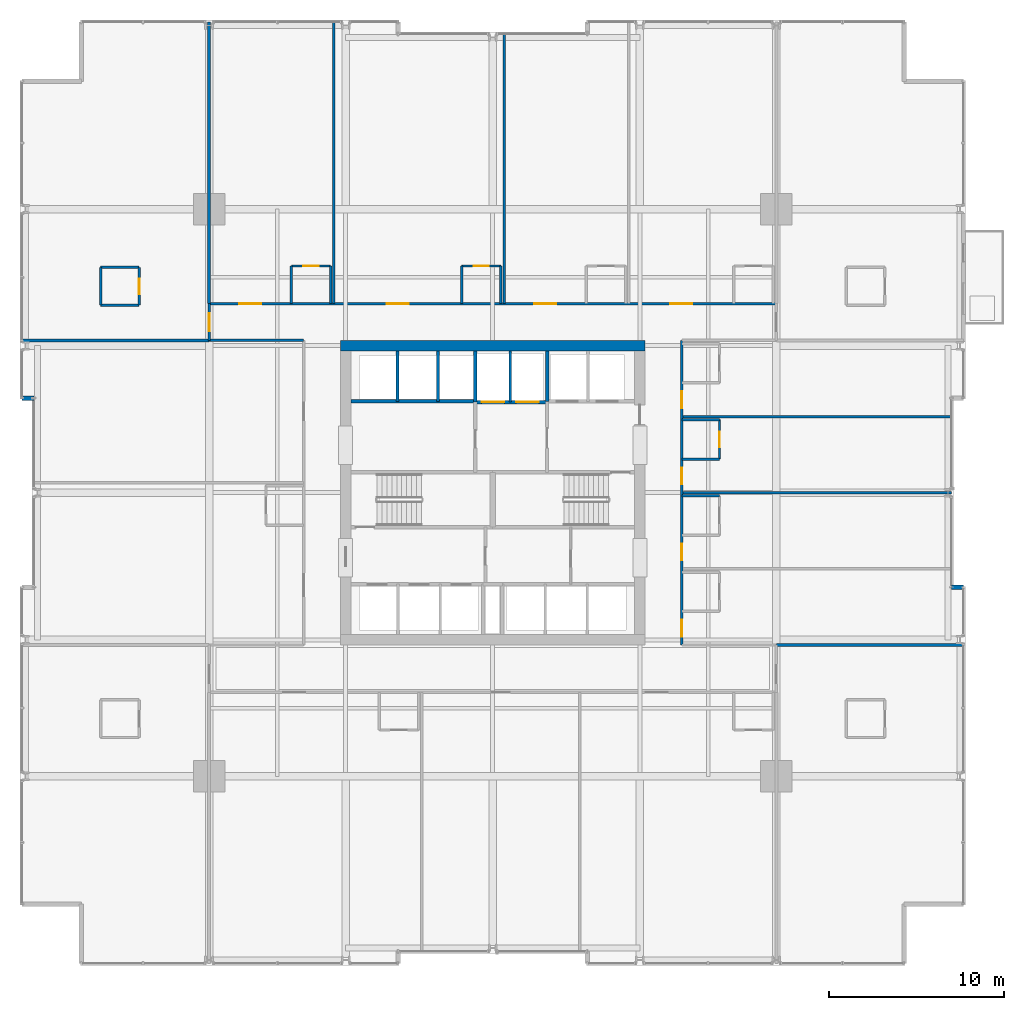
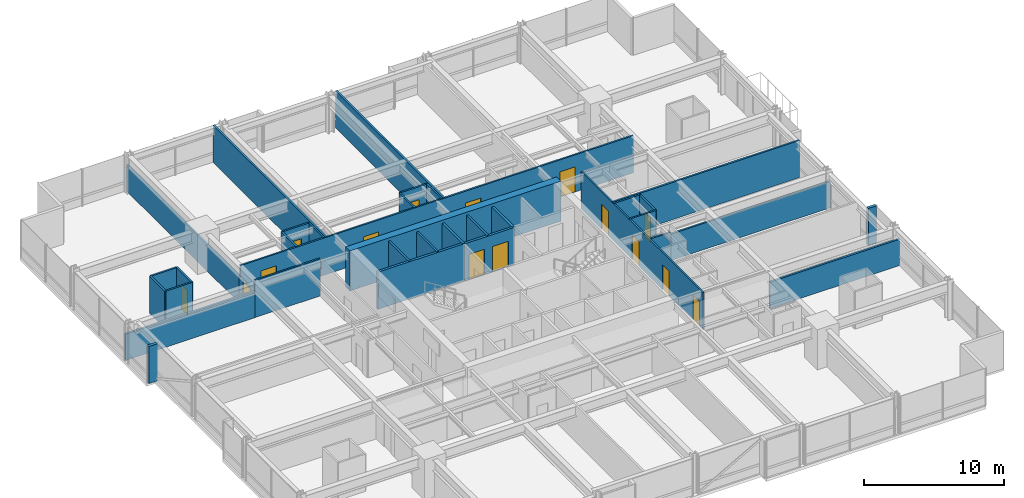
# One storey, part 32 of 38: 35 walls, 15 doors, 15 openings.
"""IFC4 building model written with IfcOpenShell, lengths in metres."""

from ifc_helpers import new_model, si_unit, direction, frame, frame_2d, origin, place, context, subcontext, project, spatial, rectangle, extrude, material, layer, layer_set, type_object, element, fill, save


model = new_model("IFC4")

# Units and contexts
model_context = context("Model", 3, precision=1e-05, world=origin(), true_north=direction((0.0, 1.0)))
body_context = subcontext(model_context, "Body", "Model", "MODEL_VIEW")
ifc_project = project(units=[si_unit("LENGTHUNIT", "METRE"), si_unit("AREAUNIT", "SQUARE_METRE"), si_unit("VOLUMEUNIT", "CUBIC_METRE"), si_unit("PLANEANGLEUNIT", "RADIAN"), si_unit("MASSUNIT", "GRAM", prefix="KILO")], contexts=[model_context])

# Site, building, storey
site_placement = place(None, origin())
site = spatial("IfcSite", under=ifc_project, at=site_placement, CompositionType="ELEMENT")
building_placement = place(site_placement, origin())
building = spatial("IfcBuilding", under=site, at=building_placement, Name="Drelvath Grand Hotel", CompositionType="ELEMENT")
storey_placement = place(building_placement, frame((0.0, 0.0, 50.699951171875)))
storey = spatial("IfcBuildingStorey", under=building, at=storey_placement, Name="L11", CompositionType="ELEMENT", Elevation=50.699951171875)

# Wall
ifc_material_1 = material(Name="Concrete C40/50", Category="concrete")
ifc_layer_1 = layer(ifc_material_1, 0.199951171875)
ifc_layer_set_1 = layer_set([ifc_layer_1], Name="Concrete C40/50")
wall_type_1 = type_object("IfcWallType", Name="Core Hoistway Fire Wall 200", PredefinedType="SOLIDWALL", material=ifc_layer_set_1)
wall_1_placement = place(storey_placement, frame((3.10009765625, 32.219970703125, 0.0), z_axis=(0.0, 0.0, 1.0), x_axis=(0.0, 1.0, 0.0)))
element("IfcWall", 1, at=wall_1_placement, inside=storey, type_object=wall_type_1, Name="L11 FSAE Hoistway West Wall", PredefinedType="SOLIDWALL", context=body_context, shape_type="SweptSolid", body=[
    extrude(rectangle(XDim=2.880126953125, YDim=0.199951171875, at=frame_2d((1.43994140625, 0.0))), origin(), (0.0, 0.0, 1.0), 3.239990234375),
])

# Wall, openings, doors
wall_2_placement = place(storey_placement, frame((-1.0, 32.179931640625, 0.0), z_axis=(0.0, 0.0, 1.0), x_axis=(1.0, 0.0, 0.0)))
wall_2 = element("IfcWall", 2, at=wall_2_placement, inside=storey, type_object=wall_type_1, Name="L11 Service Lift Hoistway Wall", PredefinedType="SOLIDWALL", context=body_context, shape_type="SweptSolid", body=[
    extrude(rectangle(XDim=4.10009765625, YDim=0.199951171875, at=frame_2d((2.050048828125, 0.0))), origin(), (0.0, 0.0, 1.0), 3.239990234375),
])
opening_1_placement = place(wall_2_placement, frame((0.3701171875, 0.0, 0.0)))
opening_1 = element("IfcOpeningElement", 3, at=opening_1_placement, cuts=wall_2, Name="Opening LD-SV-2", PredefinedType="OPENING", context=body_context, shape_type="SweptSolid", body=[
    extrude(rectangle(XDim=1.300048828125, YDim=2.199951171875, at=frame_2d((0.64990234375, 1.10009765625))), frame((0.0, 0.10986328125, 0.0), z_axis=(0.0, -1.0, 0.0), x_axis=(1.0, 0.0, 0.0)), (0.0, 0.0, 1.0), 0.219970703125),
])
opening_2_placement = place(wall_2_placement, frame((2.330078125, 0.0, 0.0)))
opening_2 = element("IfcOpeningElement", 4, at=opening_2_placement, cuts=wall_2, Name="Opening LD-SV-1", PredefinedType="OPENING", context=body_context, shape_type="SweptSolid", body=[
    extrude(rectangle(XDim=1.300048828125, YDim=2.199951171875, at=frame_2d((0.64990234375, 1.10009765625))), frame((0.0, 0.10986328125, 0.0), z_axis=(0.0, -1.0, 0.0), x_axis=(1.0, 0.0, 0.0)), (0.0, 0.0, 1.0), 0.219970703125),
])
ifc_material_2 = material(Name="Stainless Steel S355", Category="steel")
door_type_1 = type_object("IfcDoorType", Name="Service Lift Sliding Landing Door 1300x2200", OperationType="NOTDEFINED", PredefinedType="DOOR", material=ifc_material_2)
door_1_placement = place(opening_1_placement, origin())
door_1 = element("IfcDoor", 5, at=door_1_placement, inside=storey, type_object=door_type_1, Name="L11 Lift SV-2 Landing Door", OperationType="SLIDING_TO_LEFT", OverallHeight=2.199951171875, OverallWidth=1.300048828125, PredefinedType="DOOR", context=body_context, shape_type="SweptSolid", body=[
    extrude(rectangle(XDim=1.300048828125, YDim=2.199951171875, at=frame_2d((0.64990234375, 1.10009765625))), frame((0.0, 0.02490234375, 0.0), z_axis=(0.0, -1.0, 0.0), x_axis=(1.0, 0.0, 0.0)), (0.0, 0.0, 1.0), 0.050048828125),
])
fill(opening_1, door_1)
door_2_placement = place(opening_2_placement, origin())
door_2 = element("IfcDoor", 6, at=door_2_placement, inside=storey, type_object=door_type_1, Name="L11 Lift SV-1 Landing Door", OperationType="SLIDING_TO_LEFT", OverallHeight=2.199951171875, OverallWidth=1.300048828125, PredefinedType="DOOR", context=body_context, shape_type="SweptSolid", body=[
    extrude(rectangle(XDim=1.300048828125, YDim=2.199951171875, at=frame_2d((0.64990234375, 1.10009765625))), frame((0.0, 0.02490234375, 0.0), z_axis=(0.0, -1.0, 0.0), x_axis=(1.0, 0.0, 0.0)), (0.0, 0.0, 1.0), 0.050048828125),
])
fill(opening_2, door_2)

# Walls
wall_3_placement = place(storey_placement, frame((-1.0, 32.179931640625, 0.0), z_axis=(0.0, 0.0, 1.0), x_axis=(0.0, 1.0, 0.0)))
element("IfcWall", 7, at=wall_3_placement, inside=storey, type_object=wall_type_1, Name="L11 Service Lift West Wall", PredefinedType="SOLIDWALL", context=body_context, shape_type="SweptSolid", body=[
    extrude(rectangle(XDim=2.920166015625, YDim=0.199951171875, at=frame_2d((1.4599609375, 0.0))), origin(), (0.0, 0.0, 1.0), 3.239990234375),
])
wall_4_placement = place(storey_placement, frame((-8.10009765625, 32.219970703125, 0.0), z_axis=(0.0, 0.0, 1.0), x_axis=(1.0, 0.0, 0.0)))
element("IfcWall", 8, at=wall_4_placement, inside=storey, type_object=wall_type_1, Name="L11 Bank 3 Hoistway Wall", PredefinedType="SOLIDWALL", context=body_context, shape_type="SweptSolid", body=[
    extrude(rectangle(XDim=7.10009765625, YDim=0.199951171875, at=frame_2d((3.550048828125, 0.0))), origin(), (0.0, 0.0, 1.0), 3.239990234375),
])
ifc_material_3 = material(Name="Gypsum Fireboard Partition")
ifc_layer_2 = layer(ifc_material_3, 0.1650390625)
ifc_layer_set_2 = layer_set([ifc_layer_2], Name="Gypsum Fireboard Partition")
wall_type_2 = type_object("IfcWallType", Name="Core Shaft Partition 165", PredefinedType="PARTITIONING", material=ifc_layer_set_2)
wall_5_placement = place(storey_placement, frame((1.0, 32.179931640625, 0.0), z_axis=(0.0, 0.0, 1.0), x_axis=(0.0, 1.0, 0.0)))
element("IfcWall", 9, at=wall_5_placement, inside=storey, type_object=wall_type_2, Name="L11 Service Lift Divider", PredefinedType="PARTITIONING", context=body_context, shape_type="SweptSolid", body=[
    extrude(rectangle(XDim=2.920166015625, YDim=0.1650390625, at=frame_2d((1.4599609375, 0.0))), origin(), (0.0, 0.0, 1.0), 3.239990234375),
])
for number, where, z_axis, x_axis, name in (
    (10, (-5.43994140625, 32.219970703125, 0.0), (0.0, 0.0, 1.0), (0.0, 1.0, 0.0), "L11 Lift PE-7/8 Divider"),
    (11, (-3.1201171875, 32.219970703125, 0.0), (0.0, 0.0, 1.0), (0.0, 1.0, 0.0), "L11 Lift PE-8/9 Divider"),
):
    element("IfcWall", number, at=place(storey_placement, frame(where, z_axis=z_axis, x_axis=x_axis)), inside=storey, type_object=wall_type_2, Name=name, PredefinedType="PARTITIONING", context=body_context, shape_type="SweptSolid", body=[
        extrude(rectangle(XDim=2.880126953125, YDim=0.1650390625, at=frame_2d((1.43994140625, 0.0))), origin(), (0.0, 0.0, 1.0), 3.239990234375),
    ])

# Wall, openings, doors
ifc_layer_3 = layer(ifc_material_3, 0.135009765625)
ifc_layer_set_3 = layer_set([ifc_layer_3], Name="Gypsum Fireboard Partition")
wall_type_3 = type_object("IfcWallType", Name="Corridor Fire Barrier Wall 135", PredefinedType="PARTITIONING", material=ifc_layer_set_3)
wall_6_placement = place(storey_placement, frame((-16.199951171875, 37.800048828125, 0.0), z_axis=(0.0, 0.0, 1.0), x_axis=(1.0, 0.0, 0.0)))
wall_6 = element("IfcWall", 12, at=wall_6_placement, inside=storey, type_object=wall_type_3, Name="L11 North Corridor Wall", PredefinedType="PARTITIONING", context=body_context, shape_type="SweptSolid", body=[
    extrude(rectangle(XDim=32.39990234375, YDim=0.135009765625, at=frame_2d((16.199951171875, 0.0))), origin(), (0.0, 0.0, 1.0), 3.239990234375),
])
opening_3_placement = place(wall_6_placement, frame((1.718994140625, 0.0, 0.0)))
opening_3 = element("IfcOpeningElement", 13, at=opening_3_placement, cuts=wall_6, Name="Opening D-T1G2-030", PredefinedType="OPENING", context=body_context, shape_type="SweptSolid", body=[
    extrude(rectangle(XDim=1.260009765625, YDim=2.199951171875, at=frame_2d((0.6298828125, 1.10009765625))), frame((0.0, 0.077392578125, 0.0), z_axis=(0.0, -1.0, 0.0), x_axis=(1.0, 0.0, 0.0)), (0.0, 0.0, 1.0), 0.155029296875),
])
opening_4_placement = place(wall_6_placement, frame((10.14306640625, 0.0, 0.0)))
opening_4 = element("IfcOpeningElement", 14, at=opening_4_placement, cuts=wall_6, Name="Opening D-T1G2-032", PredefinedType="OPENING", context=body_context, shape_type="SweptSolid", body=[
    extrude(rectangle(XDim=1.260009765625, YDim=2.199951171875, at=frame_2d((0.6298828125, 1.10009765625))), frame((0.0, 0.077392578125, 0.0), z_axis=(0.0, -1.0, 0.0), x_axis=(1.0, 0.0, 0.0)), (0.0, 0.0, 1.0), 0.155029296875),
])
opening_5_placement = place(wall_6_placement, frame((18.56689453125, 0.0, 0.0)))
opening_5 = element("IfcOpeningElement", 15, at=opening_5_placement, cuts=wall_6, Name="Opening D-T1G2-034", PredefinedType="OPENING", context=body_context, shape_type="SweptSolid", body=[
    extrude(rectangle(XDim=1.260009765625, YDim=2.199951171875, at=frame_2d((0.6298828125, 1.10009765625))), frame((0.0, 0.077392578125, 0.0), z_axis=(0.0, -1.0, 0.0), x_axis=(1.0, 0.0, 0.0)), (0.0, 0.0, 1.0), 0.155029296875),
])
opening_6_placement = place(wall_6_placement, frame((26.343017578125, 0.0, 0.0)))
opening_6 = element("IfcOpeningElement", 16, at=opening_6_placement, cuts=wall_6, Name="Opening D-T1G2-036", PredefinedType="OPENING", context=body_context, shape_type="SweptSolid", body=[
    extrude(rectangle(XDim=1.260009765625, YDim=2.199951171875, at=frame_2d((0.6298828125, 1.10009765625))), frame((0.0, 0.077392578125, 0.0), z_axis=(0.0, -1.0, 0.0), x_axis=(1.0, 0.0, 0.0)), (0.0, 0.0, 1.0), 0.155029296875),
])
ifc_material_4 = material(Name="Hardwood Walnut Timber", Category="wood")
door_type_2 = type_object("IfcDoorType", Name="Suite Entrance Fire Door 1260x2200", OperationType="NOTDEFINED", PredefinedType="DOOR", material=ifc_material_4)
door_3_placement = place(opening_3_placement, origin())
door_3 = element("IfcDoor", 17, at=door_3_placement, inside=storey, type_object=door_type_2, Name="L11 Corner Suite Entry Door", OperationType="SINGLE_SWING_LEFT", OverallHeight=2.199951171875, OverallWidth=1.260009765625, PredefinedType="DOOR", context=body_context, shape_type="SweptSolid", body=[
    extrude(rectangle(XDim=1.260009765625, YDim=2.199951171875, at=frame_2d((0.6298828125, 1.10009765625))), frame((0.0, 0.02490234375, 0.0), z_axis=(0.0, -1.0, 0.0), x_axis=(1.0, 0.0, 0.0)), (0.0, 0.0, 1.0), 0.050048828125),
])
fill(opening_3, door_3)
door_4_placement = place(opening_4_placement, origin())
door_4 = element("IfcDoor", 18, at=door_4_placement, inside=storey, type_object=door_type_2, Name="L11 Corner Suite Entry Door", OperationType="SINGLE_SWING_LEFT", OverallHeight=2.199951171875, OverallWidth=1.260009765625, PredefinedType="DOOR", context=body_context, shape_type="SweptSolid", body=[
    extrude(rectangle(XDim=1.260009765625, YDim=2.199951171875, at=frame_2d((0.6298828125, 1.10009765625))), frame((0.0, 0.02490234375, 0.0), z_axis=(0.0, -1.0, 0.0), x_axis=(1.0, 0.0, 0.0)), (0.0, 0.0, 1.0), 0.050048828125),
])
fill(opening_4, door_4)
door_5_placement = place(opening_5_placement, origin())
door_5 = element("IfcDoor", 19, at=door_5_placement, inside=storey, type_object=door_type_2, Name="L11 Corner Suite Entry Door", OperationType="SINGLE_SWING_LEFT", OverallHeight=2.199951171875, OverallWidth=1.260009765625, PredefinedType="DOOR", context=body_context, shape_type="SweptSolid", body=[
    extrude(rectangle(XDim=1.260009765625, YDim=2.199951171875, at=frame_2d((0.6298828125, 1.10009765625))), frame((0.0, 0.02490234375, 0.0), z_axis=(0.0, -1.0, 0.0), x_axis=(1.0, 0.0, 0.0)), (0.0, 0.0, 1.0), 0.050048828125),
])
fill(opening_5, door_5)
door_6_placement = place(opening_6_placement, origin())
door_6 = element("IfcDoor", 20, at=door_6_placement, inside=storey, type_object=door_type_2, Name="L11 Corner Suite Entry Door", OperationType="SINGLE_SWING_LEFT", OverallHeight=2.199951171875, OverallWidth=1.260009765625, PredefinedType="DOOR", context=body_context, shape_type="SweptSolid", body=[
    extrude(rectangle(XDim=1.260009765625, YDim=2.199951171875, at=frame_2d((0.6298828125, 1.10009765625))), frame((0.0, 0.02490234375, 0.0), z_axis=(0.0, -1.0, 0.0), x_axis=(1.0, 0.0, 0.0)), (0.0, 0.0, 1.0), 0.050048828125),
])
fill(opening_6, door_6)

# Wall
wall_7_placement = place(storey_placement, frame((-16.199951171875, 35.699951171875, 0.0), z_axis=(0.0, 0.0, 1.0), x_axis=(1.0, 0.0, 0.0)))
element("IfcWall", 21, at=wall_7_placement, inside=storey, type_object=wall_type_3, Name="L11 NW Spur Inner Wall", PredefinedType="PARTITIONING", context=body_context, shape_type="SweptSolid", body=[
    extrude(rectangle(XDim=5.39990234375, YDim=0.135009765625, at=frame_2d((2.699951171875, 0.0))), origin(), (0.0, 0.0, 1.0), 3.239990234375),
])

# Wall, openings, doors
wall_8_placement = place(storey_placement, frame((10.800048828125, 18.300048828125, 0.0), z_axis=(0.0, 0.0, 1.0), x_axis=(0.0, 1.0, 0.0)))
wall_8 = element("IfcWall", 22, at=wall_8_placement, inside=storey, type_object=wall_type_3, Name="L11 East Corridor Wall", PredefinedType="PARTITIONING", context=body_context, shape_type="SweptSolid", body=[
    extrude(rectangle(XDim=17.39990234375, YDim=0.135009765625, at=frame_2d((8.699951171875, 0.0))), origin(), (0.0, 0.0, 1.0), 3.239990234375),
])
opening_7_placement = place(wall_8_placement, frame((0.47998046875, 0.0, 0.0)))
opening_7 = element("IfcOpeningElement", 23, at=opening_7_placement, cuts=wall_8, Name="Opening D-T1G2-041", PredefinedType="OPENING", context=body_context, shape_type="SweptSolid", body=[
    extrude(rectangle(XDim=0.9599609375, YDim=2.14990234375, at=frame_2d((0.47998046875, 1.074951171875))), frame((0.0, 0.077392578125, 0.0), z_axis=(0.0, -1.0, 0.0), x_axis=(1.0, 0.0, 0.0)), (0.0, 0.0, 1.0), 0.155029296875),
])
opening_8_placement = place(wall_8_placement, frame((4.830078125, 0.0, 0.0)))
opening_8 = element("IfcOpeningElement", 24, at=opening_8_placement, cuts=wall_8, Name="Opening D-T1G2-043", PredefinedType="OPENING", context=body_context, shape_type="SweptSolid", body=[
    extrude(rectangle(XDim=0.9599609375, YDim=2.14990234375, at=frame_2d((0.47998046875, 1.074951171875))), frame((0.0, 0.077392578125, 0.0), z_axis=(0.0, -1.0, 0.0), x_axis=(1.0, 0.0, 0.0)), (0.0, 0.0, 1.0), 0.155029296875),
])
opening_9_placement = place(wall_8_placement, frame((9.179931640625, 0.0, 0.0)))
opening_9 = element("IfcOpeningElement", 25, at=opening_9_placement, cuts=wall_8, Name="Opening D-T1G2-045", PredefinedType="OPENING", context=body_context, shape_type="SweptSolid", body=[
    extrude(rectangle(XDim=0.9599609375, YDim=2.14990234375, at=frame_2d((0.47998046875, 1.074951171875))), frame((0.0, 0.077392578125, 0.0), z_axis=(0.0, -1.0, 0.0), x_axis=(1.0, 0.0, 0.0)), (0.0, 0.0, 1.0), 0.155029296875),
])
opening_10_placement = place(wall_8_placement, frame((13.530029296875, 0.0, 0.0)))
opening_10 = element("IfcOpeningElement", 26, at=opening_10_placement, cuts=wall_8, Name="Opening D-T1G2-047", PredefinedType="OPENING", context=body_context, shape_type="SweptSolid", body=[
    extrude(rectangle(XDim=0.9599609375, YDim=2.14990234375, at=frame_2d((0.47998046875, 1.074951171875))), frame((0.0, 0.077392578125, 0.0), z_axis=(0.0, -1.0, 0.0), x_axis=(1.0, 0.0, 0.0)), (0.0, 0.0, 1.0), 0.155029296875),
])
door_type_3 = type_object("IfcDoorType", Name="Guestroom Entrance Fire Door 960x2150", OperationType="NOTDEFINED", PredefinedType="DOOR", material=ifc_material_4)
door_7_placement = place(opening_7_placement, origin())
door_7 = element("IfcDoor", 27, at=door_7_placement, inside=storey, type_object=door_type_3, Name="L11 Deluxe Guest Room Entry Door", OperationType="SINGLE_SWING_RIGHT", OverallHeight=2.14990234375, OverallWidth=0.9599609375, PredefinedType="DOOR", context=body_context, shape_type="SweptSolid", body=[
    extrude(rectangle(XDim=0.9599609375, YDim=2.14990234375, at=frame_2d((0.47998046875, 1.074951171875))), frame((0.0, 0.02490234375, 0.0), z_axis=(0.0, -1.0, 0.0), x_axis=(1.0, 0.0, 0.0)), (0.0, 0.0, 1.0), 0.050048828125),
])
fill(opening_7, door_7)
door_8_placement = place(opening_8_placement, origin())
door_8 = element("IfcDoor", 28, at=door_8_placement, inside=storey, type_object=door_type_3, Name="L11 Deluxe Guest Room Entry Door", OperationType="SINGLE_SWING_RIGHT", OverallHeight=2.14990234375, OverallWidth=0.9599609375, PredefinedType="DOOR", context=body_context, shape_type="SweptSolid", body=[
    extrude(rectangle(XDim=0.9599609375, YDim=2.14990234375, at=frame_2d((0.47998046875, 1.074951171875))), frame((0.0, 0.02490234375, 0.0), z_axis=(0.0, -1.0, 0.0), x_axis=(1.0, 0.0, 0.0)), (0.0, 0.0, 1.0), 0.050048828125),
])
fill(opening_8, door_8)
door_9_placement = place(opening_9_placement, origin())
door_9 = element("IfcDoor", 29, at=door_9_placement, inside=storey, type_object=door_type_3, Name="L11 Deluxe Guest Room Entry Door", OperationType="SINGLE_SWING_RIGHT", OverallHeight=2.14990234375, OverallWidth=0.9599609375, PredefinedType="DOOR", context=body_context, shape_type="SweptSolid", body=[
    extrude(rectangle(XDim=0.9599609375, YDim=2.14990234375, at=frame_2d((0.47998046875, 1.074951171875))), frame((0.0, 0.02490234375, 0.0), z_axis=(0.0, -1.0, 0.0), x_axis=(1.0, 0.0, 0.0)), (0.0, 0.0, 1.0), 0.050048828125),
])
fill(opening_9, door_9)
door_10_placement = place(opening_10_placement, origin())
door_10 = element("IfcDoor", 30, at=door_10_placement, inside=storey, type_object=door_type_3, Name="L11 Deluxe Guest Room Entry Door", OperationType="SINGLE_SWING_RIGHT", OverallHeight=2.14990234375, OverallWidth=0.9599609375, PredefinedType="DOOR", context=body_context, shape_type="SweptSolid", body=[
    extrude(rectangle(XDim=0.9599609375, YDim=2.14990234375, at=frame_2d((0.47998046875, 1.074951171875))), frame((0.0, 0.02490234375, 0.0), z_axis=(0.0, -1.0, 0.0), x_axis=(1.0, 0.0, 0.0)), (0.0, 0.0, 1.0), 0.050048828125),
])
fill(opening_10, door_10)

# Wall, opening, door
wall_9_placement = place(storey_placement, frame((-16.199951171875, 35.699951171875, 0.0), z_axis=(0.0, 0.0, 1.0), x_axis=(0.0, 1.0, 0.0)))
wall_9 = element("IfcWall", 31, at=wall_9_placement, inside=storey, type_object=wall_type_3, Name="L11 North Corridor West End", PredefinedType="PARTITIONING", context=body_context, shape_type="SweptSolid", body=[
    extrude(rectangle(XDim=2.10009765625, YDim=0.135009765625, at=frame_2d((1.050048828125, 0.0))), origin(), (0.0, 0.0, 1.0), 2.29833984375),
])
opening_11_placement = place(wall_9_placement, frame((0.52001953125, 0.0, 0.0)))
opening_11 = element("IfcOpeningElement", 32, at=opening_11_placement, cuts=wall_9, Name="Opening D-T1G2-021", PredefinedType="OPENING", context=body_context, shape_type="SweptSolid", body=[
    extrude(rectangle(XDim=1.02001953125, YDim=2.14990234375, at=frame_2d((0.510009765625, 1.074951171875))), frame((0.0, 0.077392578125, 0.0), z_axis=(0.0, -1.0, 0.0), x_axis=(1.0, 0.0, 0.0)), (0.0, 0.0, 1.0), 0.155029296875),
])
door_type_4 = type_object("IfcDoorType", Name="Amenity Meeting Fire Door 1020x2150", OperationType="NOTDEFINED", PredefinedType="DOOR", material=ifc_material_4)
door_11_placement = place(opening_11_placement, origin())
door_11 = element("IfcDoor", 33, at=door_11_placement, inside=storey, type_object=door_type_4, Name="L11 Corner Suite Entry Door", OperationType="SINGLE_SWING_RIGHT", OverallHeight=2.14990234375, OverallWidth=1.02001953125, PredefinedType="DOOR", context=body_context, shape_type="SweptSolid", body=[
    extrude(rectangle(XDim=1.02001953125, YDim=2.14990234375, at=frame_2d((0.510009765625, 1.074951171875))), frame((0.0, 0.02490234375, 0.0), z_axis=(0.0, -1.0, 0.0), x_axis=(1.0, 0.0, 0.0)), (0.0, 0.0, 1.0), 0.050048828125),
])
fill(opening_11, door_11)

# Walls
ifc_material_5 = material(Name="Moisture-Resistant Gypsum Board")
ifc_layer_4 = layer(ifc_material_5, 0.139892578125)
ifc_layer_set_4 = layer_set([ifc_layer_4], Name="Moisture-Resistant Gypsum Board")
wall_type_4 = type_object("IfcWallType", Name="En-Suite Plumbing Wall 140", PredefinedType="PLUMBINGWALL", material=ifc_layer_set_4)
for number, where, z_axis, x_axis, name in (
    (34, (-22.39990234375, 37.719970703125, 0.0), (0.0, 0.0, 1.0), (1.0, 0.0, 0.0), "L11 Corner En-Suite South"),
    (35, (-22.39990234375, 39.8701171875, 0.0), (0.0, 0.0, 1.0), (1.0, 0.0, 0.0), "L11 Corner En-Suite North"),
):
    element("IfcWall", number, at=place(storey_placement, frame(where, z_axis=z_axis, x_axis=x_axis)), inside=storey, type_object=wall_type_4, Name=name, PredefinedType="PLUMBINGWALL", context=body_context, shape_type="SweptSolid", body=[
        extrude(rectangle(XDim=2.199951171875, YDim=0.139892578125, at=frame_2d((1.10009765625, 0.0))), origin(), (0.0, 0.0, 1.0), 3.239990234375),
    ])
wall_10_placement = place(storey_placement, frame((-22.39990234375, 37.719970703125, 0.0), z_axis=(0.0, 0.0, 1.0), x_axis=(0.0, 1.0, 0.0)))
element("IfcWall", 36, at=wall_10_placement, inside=storey, type_object=wall_type_4, Name="L11 Corner En-Suite West", PredefinedType="PLUMBINGWALL", context=body_context, shape_type="SweptSolid", body=[
    extrude(rectangle(XDim=2.150146484375, YDim=0.139892578125, at=frame_2d((1.0751953125, 0.0))), origin(), (0.0, 0.0, 1.0), 3.239990234375),
])

# Wall, opening, door
wall_11_placement = place(storey_placement, frame((-20.199951171875, 37.719970703125, 0.0), z_axis=(0.0, 0.0, 1.0), x_axis=(0.0, 1.0, 0.0)))
wall_11 = element("IfcWall", 37, at=wall_11_placement, inside=storey, type_object=wall_type_4, Name="L11 Corner En-Suite East", PredefinedType="PLUMBINGWALL", context=body_context, shape_type="SweptSolid", body=[
    extrude(rectangle(XDim=2.150146484375, YDim=0.139892578125, at=frame_2d((1.0751953125, 0.0))), origin(), (0.0, 0.0, 1.0), 3.239990234375),
])
opening_12_placement = place(wall_11_placement, frame((0.6201171875, 0.0, 0.0)))
opening_12 = element("IfcOpeningElement", 38, at=opening_12_placement, cuts=wall_11, Name="Opening D-T1G2-020", PredefinedType="OPENING", context=body_context, shape_type="SweptSolid", body=[
    extrude(rectangle(XDim=0.8798828125, YDim=2.10009765625, at=frame_2d((0.43994140625, 1.050048828125))), frame((0.0, 0.079833984375, 0.0), z_axis=(0.0, -1.0, 0.0), x_axis=(1.0, 0.0, 0.0)), (0.0, 0.0, 1.0), 0.159912109375),
])
door_type_5 = type_object("IfcDoorType", Name="En-Suite Bathroom Door 880x2100", OperationType="NOTDEFINED", PredefinedType="DOOR", material=ifc_material_4)
door_12_placement = place(opening_12_placement, origin())
door_12 = element("IfcDoor", 39, at=door_12_placement, inside=storey, type_object=door_type_5, Name="L11 Corner En-Suite Door", OperationType="SINGLE_SWING_LEFT", OverallHeight=2.10009765625, OverallWidth=0.8798828125, PredefinedType="DOOR", context=body_context, shape_type="SweptSolid", body=[
    extrude(rectangle(XDim=0.8798828125, YDim=2.10009765625, at=frame_2d((0.43994140625, 1.050048828125))), frame((0.0, 0.02490234375, 0.0), z_axis=(0.0, -1.0, 0.0), x_axis=(1.0, 0.0, 0.0)), (0.0, 0.0, 1.0), 0.050048828125),
])
fill(opening_12, door_12)

# Walls
for number, where, z_axis, x_axis, name in (
    (40, (-11.501953125, 37.800048828125, 0.0), (0.0, 0.0, 1.0), (0.0, 1.0, 0.0), "L11 En-Suite Left Wall"),
    (41, (-9.251953125, 37.800048828125, 0.0), (0.0, 0.0, 1.0), (0.0, 1.0, 0.0), "L11 En-Suite Right Wall"),
):
    element("IfcWall", number, at=place(storey_placement, frame(where, z_axis=z_axis, x_axis=x_axis)), inside=storey, type_object=wall_type_4, Name=name, PredefinedType="PLUMBINGWALL", context=body_context, shape_type="SweptSolid", body=[
        extrude(rectangle(XDim=2.14990234375, YDim=0.139892578125, at=frame_2d((1.074951171875, 0.0))), origin(), (0.0, 0.0, 1.0), 3.239990234375),
    ])

# Wall, opening, door
wall_12_placement = place(storey_placement, frame((-11.501953125, 39.949951171875, 0.0), z_axis=(0.0, 0.0, 1.0), x_axis=(1.0, 0.0, 0.0)))
wall_12 = element("IfcWall", 42, at=wall_12_placement, inside=storey, type_object=wall_type_4, Name="L11 En-Suite Front Wall", PredefinedType="PLUMBINGWALL", context=body_context, shape_type="SweptSolid", body=[
    extrude(rectangle(XDim=2.25, YDim=0.139892578125, at=frame_2d((1.125, 0.0))), origin(), (0.0, 0.0, 1.0), 3.239990234375),
])
opening_13_placement = place(wall_12_placement, frame((0.68505859375, 0.0, 0.0)))
opening_13 = element("IfcOpeningElement", 43, at=opening_13_placement, cuts=wall_12, Name="Opening D-T1G2-029", PredefinedType="OPENING", context=body_context, shape_type="SweptSolid", body=[
    extrude(rectangle(XDim=0.8798828125, YDim=2.10009765625, at=frame_2d((0.43994140625, 1.050048828125))), frame((0.0, 0.079833984375, 0.0), z_axis=(0.0, -1.0, 0.0), x_axis=(1.0, 0.0, 0.0)), (0.0, 0.0, 1.0), 0.159912109375),
])
door_13_placement = place(opening_13_placement, origin())
door_13 = element("IfcDoor", 44, at=door_13_placement, inside=storey, type_object=door_type_5, Name="L11 En-Suite Bathroom Door", OperationType="SINGLE_SWING_RIGHT", OverallHeight=2.10009765625, OverallWidth=0.8798828125, PredefinedType="DOOR", context=body_context, shape_type="SweptSolid", body=[
    extrude(rectangle(XDim=0.8798828125, YDim=2.10009765625, at=frame_2d((0.43994140625, 1.050048828125))), frame((0.0, 0.02490234375, 0.0), z_axis=(0.0, -1.0, 0.0), x_axis=(1.0, 0.0, 0.0)), (0.0, 0.0, 1.0), 0.050048828125),
])
fill(opening_13, door_13)

# Walls
for number, where, z_axis, x_axis, name in (
    (45, (-1.781982421875, 37.800048828125, 0.0), (0.0, 0.0, 1.0), (0.0, 1.0, 0.0), "L11 En-Suite Left Wall"),
    (46, (0.468017578125, 37.800048828125, 0.0), (0.0, 0.0, 1.0), (0.0, 1.0, 0.0), "L11 En-Suite Right Wall"),
):
    element("IfcWall", number, at=place(storey_placement, frame(where, z_axis=z_axis, x_axis=x_axis)), inside=storey, type_object=wall_type_4, Name=name, PredefinedType="PLUMBINGWALL", context=body_context, shape_type="SweptSolid", body=[
        extrude(rectangle(XDim=2.14990234375, YDim=0.139892578125, at=frame_2d((1.074951171875, 0.0))), origin(), (0.0, 0.0, 1.0), 3.239990234375),
    ])

# Wall, opening, door
wall_13_placement = place(storey_placement, frame((-1.781982421875, 39.949951171875, 0.0), z_axis=(0.0, 0.0, 1.0), x_axis=(1.0, 0.0, 0.0)))
wall_13 = element("IfcWall", 47, at=wall_13_placement, inside=storey, type_object=wall_type_4, Name="L11 En-Suite Front Wall", PredefinedType="PLUMBINGWALL", context=body_context, shape_type="SweptSolid", body=[
    extrude(rectangle(XDim=2.25, YDim=0.139892578125, at=frame_2d((1.125, 0.0))), origin(), (0.0, 0.0, 1.0), 3.239990234375),
])
opening_14_placement = place(wall_13_placement, frame((0.68505859375, 0.0, 0.0)))
opening_14 = element("IfcOpeningElement", 48, at=opening_14_placement, cuts=wall_13, Name="Opening D-T1G2-031", PredefinedType="OPENING", context=body_context, shape_type="SweptSolid", body=[
    extrude(rectangle(XDim=0.8798828125, YDim=2.10009765625, at=frame_2d((0.43994140625, 1.050048828125))), frame((0.0, 0.079833984375, 0.0), z_axis=(0.0, -1.0, 0.0), x_axis=(1.0, 0.0, 0.0)), (0.0, 0.0, 1.0), 0.159912109375),
])
door_14_placement = place(opening_14_placement, origin())
door_14 = element("IfcDoor", 49, at=door_14_placement, inside=storey, type_object=door_type_5, Name="L11 En-Suite Bathroom Door", OperationType="SINGLE_SWING_RIGHT", OverallHeight=2.10009765625, OverallWidth=0.8798828125, PredefinedType="DOOR", context=body_context, shape_type="SweptSolid", body=[
    extrude(rectangle(XDim=0.8798828125, YDim=2.10009765625, at=frame_2d((0.43994140625, 1.050048828125))), frame((0.0, 0.02490234375, 0.0), z_axis=(0.0, -1.0, 0.0), x_axis=(1.0, 0.0, 0.0)), (0.0, 0.0, 1.0), 0.050048828125),
])
fill(opening_14, door_14)

# Walls
wall_14_placement = place(storey_placement, frame((10.800048828125, 26.820068359375, 0.0), z_axis=(0.0, 0.0, 1.0), x_axis=(1.0, 0.0, 0.0)))
element("IfcWall", 50, at=wall_14_placement, inside=storey, type_object=wall_type_4, Name="L11 En-Suite Right Wall", PredefinedType="PLUMBINGWALL", context=body_context, shape_type="SweptSolid", body=[
    extrude(rectangle(XDim=2.14990234375, YDim=0.139892578125, at=frame_2d((1.074951171875, 0.0))), origin(), (0.0, 0.0, 1.0), 2.617431640625),
])
for number, where, z_axis, x_axis, name in (
    (51, (10.800048828125, 28.919921875, 0.0), (0.0, 0.0, 1.0), (1.0, 0.0, 0.0), "L11 En-Suite Left Wall"),
    (52, (10.800048828125, 31.169921875, 0.0), (0.0, 0.0, 1.0), (1.0, 0.0, 0.0), "L11 En-Suite Right Wall"),
):
    element("IfcWall", number, at=place(storey_placement, frame(where, z_axis=z_axis, x_axis=x_axis)), inside=storey, type_object=wall_type_4, Name=name, PredefinedType="PLUMBINGWALL", context=body_context, shape_type="SweptSolid", body=[
        extrude(rectangle(XDim=2.14990234375, YDim=0.139892578125, at=frame_2d((1.074951171875, 0.0))), origin(), (0.0, 0.0, 1.0), 3.239990234375),
    ])

# Wall, opening, door
wall_15_placement = place(storey_placement, frame((12.949951171875, 28.919921875, 0.0), z_axis=(0.0, 0.0, 1.0), x_axis=(0.0, 1.0, 0.0)))
wall_15 = element("IfcWall", 53, at=wall_15_placement, inside=storey, type_object=wall_type_4, Name="L11 En-Suite Front Wall", PredefinedType="PLUMBINGWALL", context=body_context, shape_type="SweptSolid", body=[
    extrude(rectangle(XDim=2.25, YDim=0.139892578125, at=frame_2d((1.125, 0.0))), origin(), (0.0, 0.0, 1.0), 3.239990234375),
])
opening_15_placement = place(wall_15_placement, frame((0.68505859375, 0.0, 0.0)))
opening_15 = element("IfcOpeningElement", 54, at=opening_15_placement, cuts=wall_15, Name="Opening D-T1G2-044", PredefinedType="OPENING", context=body_context, shape_type="SweptSolid", body=[
    extrude(rectangle(XDim=0.8798828125, YDim=2.10009765625, at=frame_2d((0.43994140625, 1.050048828125))), frame((0.0, 0.079833984375, 0.0), z_axis=(0.0, -1.0, 0.0), x_axis=(1.0, 0.0, 0.0)), (0.0, 0.0, 1.0), 0.159912109375),
])
door_15_placement = place(opening_15_placement, origin())
door_15 = element("IfcDoor", 55, at=door_15_placement, inside=storey, type_object=door_type_5, Name="L11 En-Suite Bathroom Door", OperationType="SINGLE_SWING_LEFT", OverallHeight=2.10009765625, OverallWidth=0.8798828125, PredefinedType="DOOR", context=body_context, shape_type="SweptSolid", body=[
    extrude(rectangle(XDim=0.8798828125, YDim=2.10009765625, at=frame_2d((0.43994140625, 1.050048828125))), frame((0.0, 0.02490234375, 0.0), z_axis=(0.0, -1.0, 0.0), x_axis=(1.0, 0.0, 0.0)), (0.0, 0.0, 1.0), 0.050048828125),
])
fill(opening_15, door_15)

# Walls
ifc_material_6 = material(Name="Gypsum Acoustic Partition")
ifc_layer_5 = layer(ifc_material_6, 0.14990234375)
ifc_layer_set_5 = layer_set([ifc_layer_5], Name="Gypsum Acoustic Partition")
wall_type_5 = type_object("IfcWallType", Name="Guestroom Demising Wall 150", PredefinedType="PARTITIONING", material=ifc_layer_set_5)
wall_16_placement = place(storey_placement, frame((-9.072021484375, 37.800048828125, 0.0), z_axis=(0.0, 0.0, 1.0), x_axis=(0.0, 1.0, 0.0)))
element("IfcWall", 56, at=wall_16_placement, inside=storey, type_object=wall_type_5, Name="L11 North Demising 1", PredefinedType="PARTITIONING", context=body_context, shape_type="SweptSolid", body=[
    extrude(rectangle(XDim=16.079833984375, YDim=0.14990234375, at=frame_2d((8.0400390625, 0.0))), origin(), (0.0, 0.0, 1.0), 3.239990234375),
])
wall_17_placement = place(storey_placement, frame((0.64794921875, 37.800048828125, 0.0), z_axis=(0.0, 0.0, 1.0), x_axis=(0.0, 1.0, 0.0)))
element("IfcWall", 57, at=wall_17_placement, inside=storey, type_object=wall_type_5, Name="L11 North Demising 2", PredefinedType="PARTITIONING", context=body_context, shape_type="SweptSolid", body=[
    extrude(rectangle(XDim=15.39990234375, YDim=0.14990234375, at=frame_2d((7.699951171875, 0.0))), origin(), (0.0, 0.0, 1.0), 3.239990234375),
])
wall_18_placement = place(storey_placement, frame((10.800048828125, 27.0, 0.0), z_axis=(0.0, 0.0, 1.0), x_axis=(1.0, 0.0, 0.0)))
element("IfcWall", 58, at=wall_18_placement, inside=storey, type_object=wall_type_5, Name="L11 East Demising 2", PredefinedType="PARTITIONING", context=body_context, shape_type="SweptSolid", body=[
    extrude(rectangle(XDim=15.39990234375, YDim=0.14990234375, at=frame_2d((7.699951171875, 0.0))), origin(), (0.0, 0.0, 1.0), 2.29833984375),
])
wall_19_placement = place(storey_placement, frame((10.800048828125, 31.35009765625, 0.0), z_axis=(0.0, 0.0, 1.0), x_axis=(1.0, 0.0, 0.0)))
element("IfcWall", 59, at=wall_19_placement, inside=storey, type_object=wall_type_5, Name="L11 East Demising 3", PredefinedType="PARTITIONING", context=body_context, shape_type="SweptSolid", body=[
    extrude(rectangle(XDim=15.39990234375, YDim=0.14990234375, at=frame_2d((7.699951171875, 0.0))), origin(), (0.0, 0.0, 1.0), 3.239990234375),
])
ifc_material_7 = material(Name="Concrete f'c 70 MPa", Category="concrete")
ifc_layer_6 = layer(ifc_material_7, 0.60009765625)
ifc_layer_set_6 = layer_set([ifc_layer_6], Name="Concrete f'c 70 MPa")
wall_type_6 = type_object("IfcWallType", Name="Lower Core RC Shear Wall 600", PredefinedType="SHEAR", material=ifc_layer_set_6)
wall_20_placement = place(storey_placement, frame((-8.699951171875, 35.39990234375, 0.0), z_axis=(0.0, 0.0, 1.0), x_axis=(1.0, 0.0, 0.0)))
element("IfcWall", 60, at=wall_20_placement, inside=storey, type_object=wall_type_6, Name="L11 Central Core Shear Wall N", PredefinedType="SHEAR", context=body_context, shape_type="SweptSolid", body=[
    extrude(rectangle(XDim=17.39990234375, YDim=0.60009765625, at=frame_2d((8.699951171875, 0.0))), origin(), (0.0, 0.0, 1.0), 3.5),
])
ifc_layer_7 = layer(ifc_material_6, 0.1650390625)
ifc_layer_set_7 = layer_set([ifc_layer_7], Name="Gypsum Acoustic Partition")
wall_type_7 = type_object("IfcWallType", Name="Suite Demising Wall 165", PredefinedType="PARTITIONING", material=ifc_layer_set_7)
wall_21_placement = place(storey_placement, frame((-16.199951171875, 37.800048828125, 0.0), z_axis=(0.0, 0.0, 1.0), x_axis=(0.0, 1.0, 0.0)))
element("IfcWall", 61, at=wall_21_placement, inside=storey, type_object=wall_type_7, Name="L11 NW Wing Boundary Wall", PredefinedType="PARTITIONING", context=body_context, shape_type="SweptSolid", body=[
    extrude(rectangle(XDim=16.079833984375, YDim=0.1650390625, at=frame_2d((8.0400390625, 0.0))), origin(), (0.0, 0.0, 1.0), 2.29833984375),
])
for number, where, z_axis, x_axis, name in (
    (62, (16.199951171875, 18.300048828125, 0.0), (0.0, 0.0, 1.0), (1.0, 0.0, 0.0), "L11 SE Corner North Wall"),
    (63, (-26.8798828125, 35.699951171875, 0.0), (0.0, 0.0, 1.0), (1.0, 0.0, 0.0), "L11 NW Corner South Wall"),
):
    element("IfcWall", number, at=place(storey_placement, frame(where, z_axis=z_axis, x_axis=x_axis)), inside=storey, type_object=wall_type_7, Name=name, PredefinedType="PARTITIONING", context=body_context, shape_type="SweptSolid", body=[
        extrude(rectangle(XDim=10.679931640625, YDim=0.1650390625, at=frame_2d((5.33984375, 0.0))), origin(), (0.0, 0.0, 1.0), 2.29833984375),
    ])
ifc_material_8 = material(Name="Pale-Metal Insulated Aluminium Spandrel Assembly", Category="aluminium")
ifc_layer_8 = layer(ifc_material_8, 0.239990234375)
ifc_layer_set_8 = layer_set([ifc_layer_8], Name="Pale-Metal Insulated Aluminium Spandrel Assembly")
wall_type_8 = type_object("IfcWallType", Name="Tower Insulated Metal Spandrel Closure Wall 240", PredefinedType="STANDARD", material=ifc_layer_set_8)
for number, where, z_axis, x_axis, name in (
    (64, (-26.199951171875, 32.39990234375, 0.0), (0.0, 0.0, 1.0), (-1.0, 0.0, 0.0), "L11 Notched Corner Return Spandrel Wall RW2"),
    (65, (26.199951171875, 21.60009765625, 0.0), (0.0, 0.0, 1.0), (1.0, 0.0, 0.0), "L11 Notched Corner Return Spandrel Wall RE2"),
):
    element("IfcWall", number, at=place(storey_placement, frame(where, z_axis=z_axis, x_axis=x_axis)), inside=storey, type_object=wall_type_8, Name=name, PredefinedType="STANDARD", context=body_context, shape_type="SweptSolid", body=[
        extrude(rectangle(XDim=0.679931640625, YDim=0.239990234375, at=frame_2d((0.33984375, 0.0))), origin(), (0.0, 0.0, 1.0), 3.239990234375),
    ])

save(model, "model.ifc")
